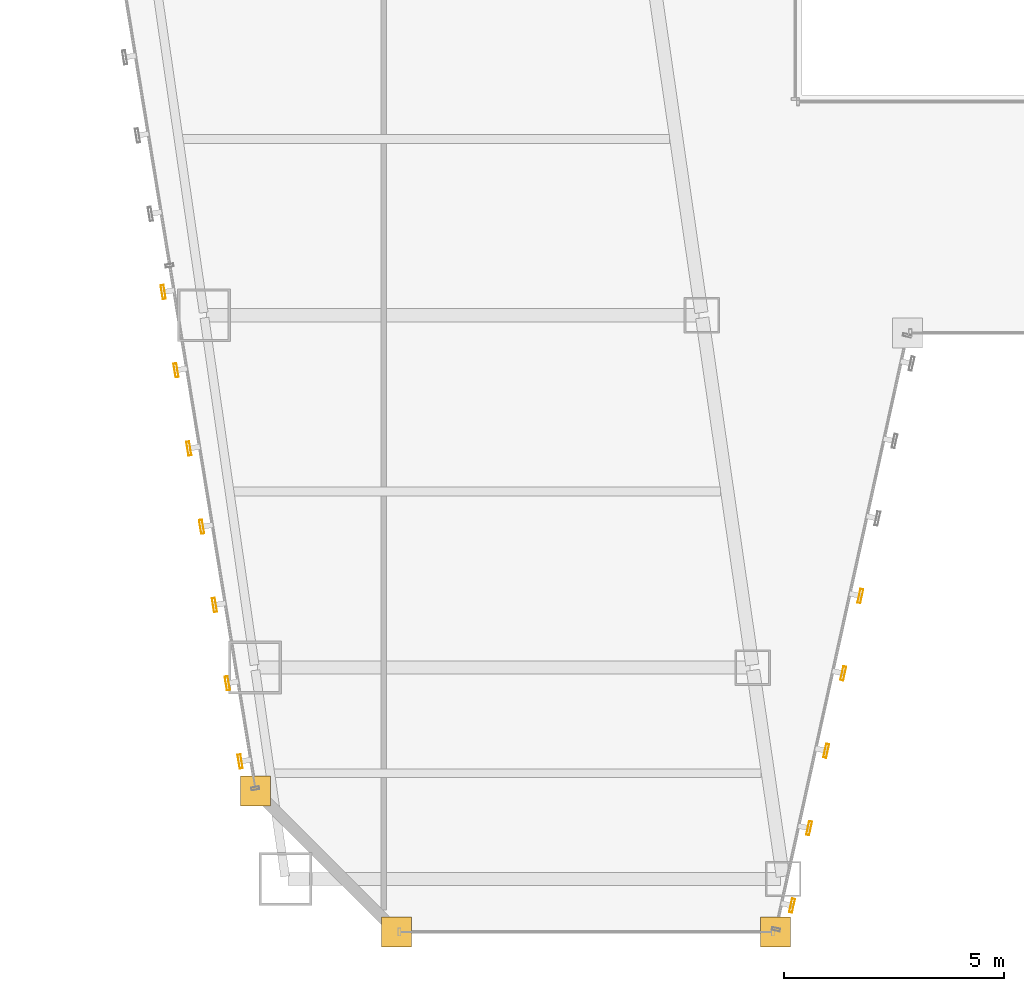
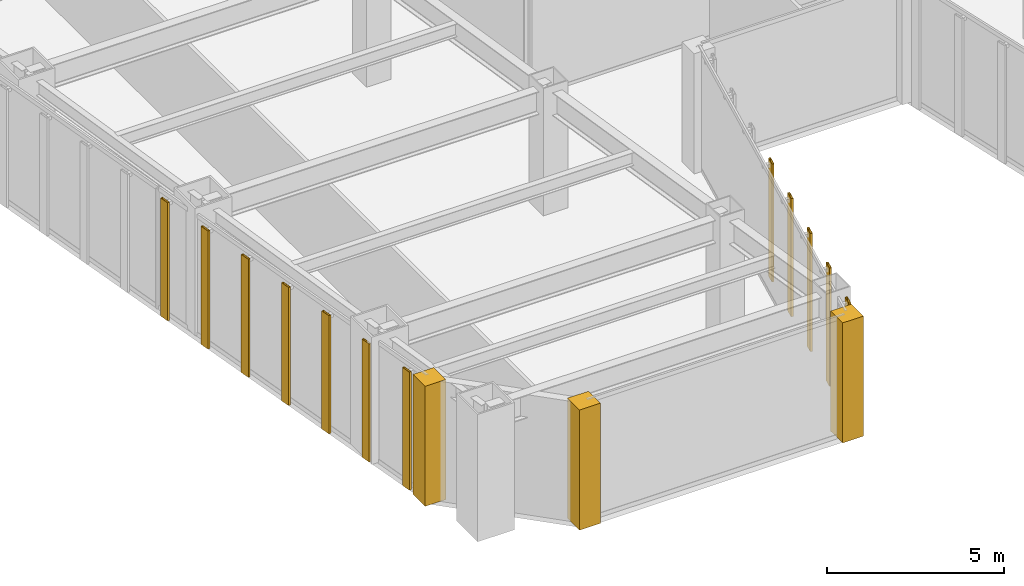
# One storey, part 41 of 47: 12 shading devices, 3 coverings.
"""IFC4 building model written with IfcOpenShell, lengths in metres."""

from ifc_helpers import new_model, si_unit, direction, frame, origin, origin_2d, place, context, subcontext, project, spatial, polyline, hollow_rectangle, outline, extrude, material, layer, layer_set, material_profile, profile_set, type_object, element, save


model = new_model("IFC4")

# Units and contexts
model_context = context("Model", 3, precision=1e-05, world=origin(), true_north=direction((0.0, 1.0)))
body_context = subcontext(model_context, "Body", "Model", "MODEL_VIEW")
ifc_project = project(units=[si_unit("LENGTHUNIT", "METRE"), si_unit("AREAUNIT", "SQUARE_METRE"), si_unit("VOLUMEUNIT", "CUBIC_METRE"), si_unit("PLANEANGLEUNIT", "RADIAN"), si_unit("MASSUNIT", "GRAM", prefix="KILO")], contexts=[model_context])

# Site, building, storey
site_placement = place(None, origin())
site = spatial("IfcSite", under=ifc_project, at=site_placement, CompositionType="ELEMENT")
building_placement = place(site_placement, origin())
building = spatial("IfcBuilding", under=site, at=building_placement, Name="Saevonmaru Cultural Tower", CompositionType="ELEMENT")
storey_placement = place(building_placement, frame((0.0, 0.0, 64.800048828125)))
storey = spatial("IfcBuildingStorey", under=building, at=storey_placement, Name="L13", CompositionType="ELEMENT", Elevation=64.800048828125)

# Coverings
ifc_material = material(Name="Satin Bronze Anodised Aluminium", Category="aluminium")
ifc_layer = layer(ifc_material, 0.679931640625, Name="Satin Bronze Anodised Aluminium")
ifc_layer_set = layer_set([ifc_layer], Name="Satin Bronze Anodised Aluminium")
covering_type = type_object("IfcCoveringType", Name="CV-CORNER-CLAD", PredefinedType="CLADDING", material=ifc_layer_set)
covering_1_placement = place(storey_placement, origin())
element("IfcCovering", 1, at=covering_1_placement, inside=storey, type_object=covering_type, Name="L13 Tower Bronze Corner Cladding Pier 1", PredefinedType="CLADDING", context=body_context, shape_type="SweptSolid", body=[
    extrude(outline(polyline([(11.4599609375, 4.860107421875), (12.139892578125, 4.860107421875), (12.139892578125, 5.5400390625), (11.4599609375, 5.5400390625), (11.4599609375, 4.860107421875)])), origin(), (0.0, 0.0, 1.0), 4.14990234375),
])
covering_2_placement = place(storey_placement, origin())
element("IfcCovering", 2, at=covering_2_placement, inside=storey, type_object=covering_type, Name="L13 Tower Bronze Corner Cladding Pier 2", PredefinedType="CLADDING", context=body_context, shape_type="SweptSolid", body=[
    extrude(outline(polyline([(14.659912109375, 1.659912109375), (15.340087890625, 1.659912109375), (15.340087890625, 2.340087890625), (14.659912109375, 2.340087890625), (14.659912109375, 1.659912109375)])), origin(), (0.0, 0.0, 1.0), 4.14990234375),
])
covering_3_placement = place(storey_placement, origin())
element("IfcCovering", 3, at=covering_3_placement, inside=storey, type_object=covering_type, Name="L13 Tower Bronze Corner Cladding Pier 3", PredefinedType="CLADDING", context=body_context, shape_type="SweptSolid", body=[
    extrude(outline(polyline([(23.260009765625, 1.659912109375), (23.93994140625, 1.659912109375), (23.93994140625, 2.340087890625), (23.260009765625, 2.340087890625), (23.260009765625, 1.659912109375)])), origin(), (0.0, 0.0, 1.0), 4.14990234375),
])

# Shading devices
ifc_material_profile = material_profile(ifc_material, hollow_rectangle(XDim=0.070068359375, YDim=0.320068359375, WallThickness=0.0048828125, at=origin_2d()), Name="FIN-320x70")
ifc_profile_set = profile_set([ifc_material_profile], Name="Satin Bronze Anodised Aluminium")
shading_device_type = type_object("IfcShadingDeviceType", Name="SHD-FIN-320", PredefinedType="JALOUSIE", material=ifc_profile_set)
for number, where, z_axis, x_axis, name in (
    (4, (23.977294921875, 2.59619140625, 0.050048828125), (0.0, 0.0, 1.0), (0.976522126798, -0.215417120661, 0.0), "L13 Art Deco Sawtooth Bronze Fin E3-01"),
    (5, (24.364990234375, 4.35400390625, 0.050048828125), (0.0, 0.0, 1.0), (0.976522126798, -0.215417120661, 0.0), "L13 Art Deco Sawtooth Bronze Fin E3-02"),
    (6, (24.752685546875, 6.11181640625, 0.050048828125), (0.0, 0.0, 1.0), (0.976522126798, -0.215417120661, 0.0), "L13 Art Deco Sawtooth Bronze Fin E3-03"),
    (7, (25.140380859375, 7.869384765625, 0.050048828125), (0.0, 0.0, 1.0), (0.976522126798, -0.215417120661, 0.0), "L13 Art Deco Sawtooth Bronze Fin E3-04"),
    (8, (25.5283203125, 9.627197265625, 0.050048828125), (0.0, 0.0, 1.0), (0.976522126798, -0.215417120661, 0.0), "L13 Art Deco Sawtooth Bronze Fin E3-05"),
    (9, (9.70068359375, 16.527099609375, 0.050048828125), (0.0, 0.0, 1.0), (-0.986827496189, -0.161776057456, 0.0), "L13 Art Deco Sawtooth Bronze Fin E12-21"),
    (10, (9.99169921875, 14.750732421875, 0.050048828125), (0.0, 0.0, 1.0), (-0.986827496189, -0.161776057456, 0.0), "L13 Art Deco Sawtooth Bronze Fin E12-22"),
    (11, (10.28271484375, 12.974365234375, 0.050048828125), (0.0, 0.0, 1.0), (-0.986827496189, -0.161776057456, 0.0), "L13 Art Deco Sawtooth Bronze Fin E12-23"),
    (12, (10.573974609375, 11.197998046875, 0.050048828125), (0.0, 0.0, 1.0), (-0.986827496189, -0.161776057456, 0.0), "L13 Art Deco Sawtooth Bronze Fin E12-24"),
    (13, (10.864990234375, 9.421875, 0.050048828125), (0.0, 0.0, 1.0), (-0.986827496189, -0.161776057456, 0.0), "L13 Art Deco Sawtooth Bronze Fin E12-25"),
    (14, (11.156005859375, 7.6455078125, 0.050048828125), (0.0, 0.0, 1.0), (-0.986827496189, -0.161776057456, 0.0), "L13 Art Deco Sawtooth Bronze Fin E12-26"),
    (15, (11.447021484375, 5.869140625, 0.050048828125), (0.0, 0.0, 1.0), (-0.986827496189, -0.161776057456, 0.0), "L13 Art Deco Sawtooth Bronze Fin E12-27"),
):
    element("IfcShadingDevice", number, at=place(storey_placement, frame(where, z_axis=z_axis, x_axis=x_axis)), inside=storey, type_object=shading_device_type, Name=name, PredefinedType="JALOUSIE", context=body_context, shape_type="SweptSolid", body=[
        extrude(hollow_rectangle(XDim=0.070068359375, YDim=0.320068359375, WallThickness=0.0048828125, at=origin_2d()), origin(), (0.0, 0.0, 1.0), 4.079833984375),
    ])

save(model, "model.ifc")
